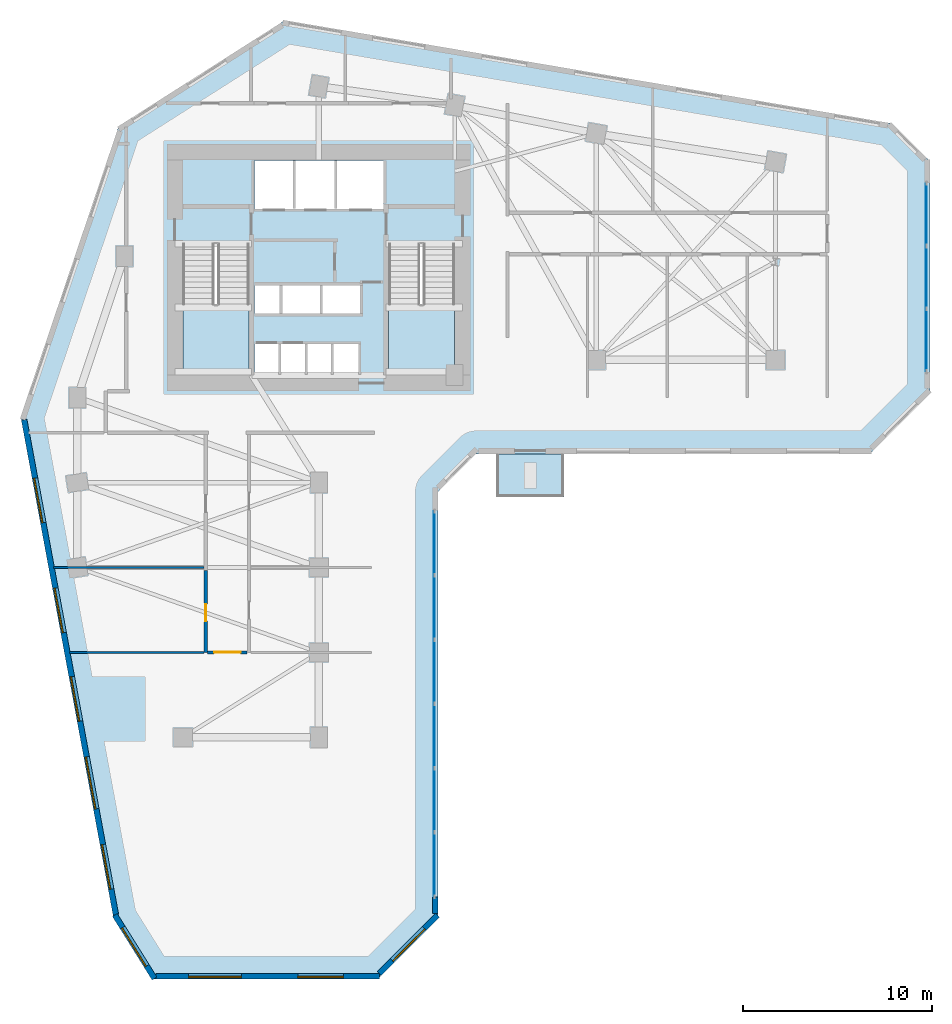
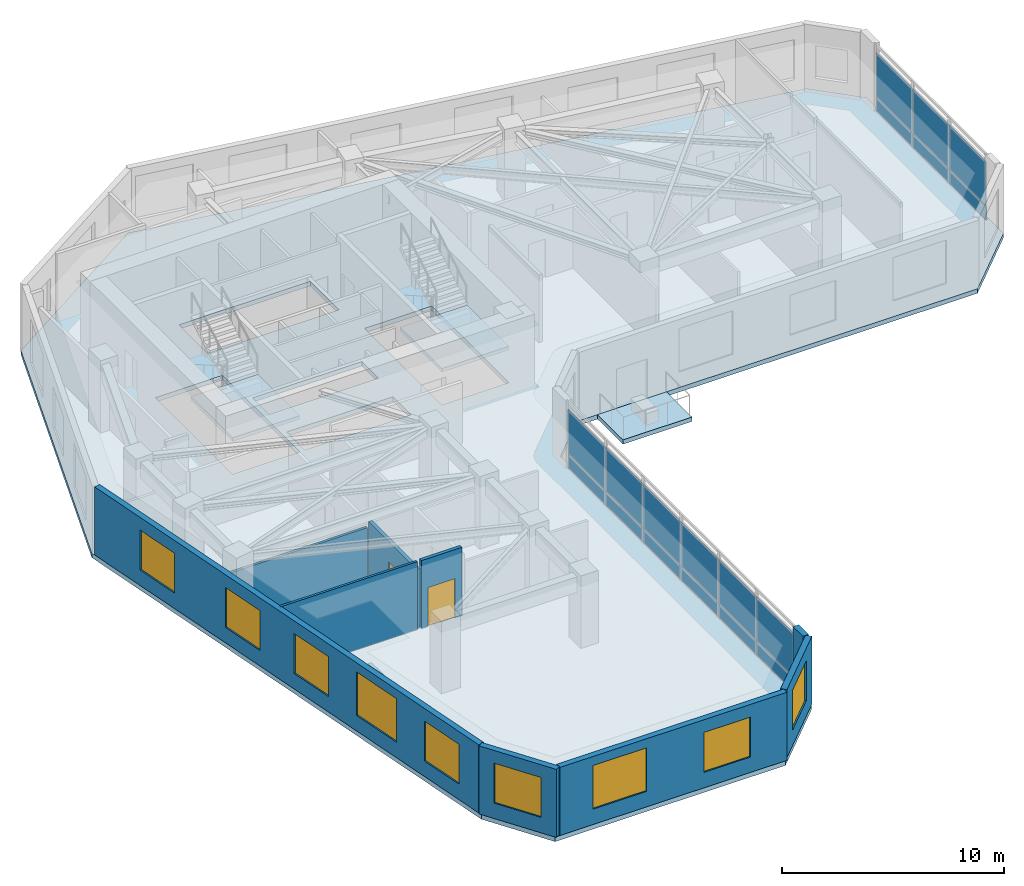
# One storey, part 4 of 9: 18 plates, 9 walls, 9 windows, 4 slabs, 2 doors, 11 openings, 4 elements without a shape of their own.
"""IFC4 building model written with IfcOpenShell, lengths in metres."""

from ifc_helpers import new_model, si_unit, direction, frame, frame_2d, origin, place, context, subcontext, project, spatial, polyline, rectangle, outline, extrude, source, transform, mapped, material, layer, layer_set, type_object, element, fill, aggregate, save


model = new_model("IFC4")

# Units and contexts
model_context = context("Model", 3, precision=1e-05, world=origin(), true_north=direction((0.0, 1.0)))
body_context = subcontext(model_context, "Body", "Model", "MODEL_VIEW")
ifc_project = project(units=[si_unit("LENGTHUNIT", "METRE"), si_unit("AREAUNIT", "SQUARE_METRE"), si_unit("VOLUMEUNIT", "CUBIC_METRE"), si_unit("PLANEANGLEUNIT", "RADIAN"), si_unit("MASSUNIT", "GRAM", prefix="KILO")], contexts=[model_context])

# Site, building, storey
site_placement = place(None, origin())
site = spatial("IfcSite", under=ifc_project, at=site_placement, CompositionType="ELEMENT")
building_placement = place(site_placement, origin())
building = spatial("IfcBuilding", under=site, at=building_placement, Name="Calvemar Wedge Station Tower", CompositionType="ELEMENT")
storey_placement = place(building_placement, frame((0.0, 0.0, 91.0)))
storey = spatial("IfcBuildingStorey", under=building, at=storey_placement, Name="L22", CompositionType="ELEMENT", Elevation=91.0)

# Curtain wall, plates
ifc_material_1 = material(Name="Anodised aluminium 6063-T6", Category="aluminium")
curtain_wall_type = type_object("IfcCurtainWallType", Name="CW1", PredefinedType="NOTDEFINED", material=ifc_material_1)
curtain_wall_1_placement = place(storey_placement, origin())
curtain_wall_1 = element("IfcCurtainWall", 1, at=curtain_wall_1_placement, inside=storey, type_object=curtain_wall_type, Name="Storey L22 CW1 Recessed Unitised Curtain Wall 4", PredefinedType="NOTDEFINED")
ifc_material_2 = material(Name="Low-E laminated insulated glass", Category="glass")
ifc_layer_1 = layer(ifc_material_2, 0.028076171875)
ifc_layer_set_1 = layer_set([ifc_layer_1], Name="Low-E laminated insulated glass")
plate_type_1 = type_object("IfcPlateType", Name="CW1-GLZ", PredefinedType="CURTAIN_PANEL", material=ifc_layer_set_1)
plate_1_placement = place(storey_placement, frame((29.91796875, 6.580078125, 0.8701171875), z_axis=(0.0, 0.0, 1.0), x_axis=(0.0, 1.0, 0.0)))
plate_1 = element("IfcPlate", 2, at=plate_1_placement, type_object=plate_type_1, Name="CW1 vision glass panel 1", PredefinedType="CURTAIN_PANEL", context=body_context, shape_type="SweptSolid", body=[
    extrude(rectangle(XDim=3.36865234375, YDim=0.028076171875, at=frame_2d((1.684326171875, 0.0))), origin(), (0.0, 0.0, 1.0), 2.409912109375),
])
plate_2_placement = place(storey_placement, frame((29.91796875, 9.98486328125, 0.8701171875), z_axis=(0.0, 0.0, 1.0), x_axis=(0.0, 1.0, 0.0)))
plate_2 = element("IfcPlate", 3, at=plate_2_placement, type_object=plate_type_1, Name="CW1 vision glass panel 2", PredefinedType="CURTAIN_PANEL", context=body_context, shape_type="SweptSolid", body=[
    extrude(rectangle(XDim=3.36865234375, YDim=0.028076171875, at=frame_2d((1.684326171875, 0.0))), origin(), (0.0, 0.0, 1.0), 2.409912109375),
])
plate_3_placement = place(storey_placement, frame((29.91796875, 13.389404296875, 0.8701171875), z_axis=(0.0, 0.0, 1.0), x_axis=(0.0, 1.0, 0.0)))
plate_3 = element("IfcPlate", 4, at=plate_3_placement, type_object=plate_type_1, Name="CW1 vision glass panel 3", PredefinedType="CURTAIN_PANEL", context=body_context, shape_type="SweptSolid", body=[
    extrude(rectangle(XDim=3.36865234375, YDim=0.028076171875, at=frame_2d((1.684326171875, 0.0))), origin(), (0.0, 0.0, 1.0), 2.409912109375),
])
plate_4_placement = place(storey_placement, frame((29.91796875, 16.794189453125, 0.8701171875), z_axis=(0.0, 0.0, 1.0), x_axis=(0.0, 1.0, 0.0)))
plate_4 = element("IfcPlate", 5, at=plate_4_placement, type_object=plate_type_1, Name="CW1 vision glass panel 4", PredefinedType="CURTAIN_PANEL", context=body_context, shape_type="SweptSolid", body=[
    extrude(rectangle(XDim=3.36865234375, YDim=0.028076171875, at=frame_2d((1.684326171875, 0.0))), origin(), (0.0, 0.0, 1.0), 2.409912109375),
])
plate_5_placement = place(storey_placement, frame((29.91796875, 20.19873046875, 0.8701171875), z_axis=(0.0, 0.0, 1.0), x_axis=(0.0, 1.0, 0.0)))
plate_5 = element("IfcPlate", 6, at=plate_5_placement, type_object=plate_type_1, Name="CW1 vision glass panel 5", PredefinedType="CURTAIN_PANEL", context=body_context, shape_type="SweptSolid", body=[
    extrude(rectangle(XDim=3.36865234375, YDim=0.028076171875, at=frame_2d((1.684326171875, 0.0))), origin(), (0.0, 0.0, 1.0), 2.409912109375),
])
plate_6_placement = place(storey_placement, frame((29.91796875, 23.603515625, 0.8701171875), z_axis=(0.0, 0.0, 1.0), x_axis=(0.0, 1.0, 0.0)))
plate_6 = element("IfcPlate", 7, at=plate_6_placement, type_object=plate_type_1, Name="CW1 vision glass panel 6", PredefinedType="CURTAIN_PANEL", context=body_context, shape_type="SweptSolid", body=[
    extrude(rectangle(XDim=3.36865234375, YDim=0.028076171875, at=frame_2d((1.684326171875, 0.0))), origin(), (0.0, 0.0, 1.0), 2.409912109375),
])

curtain_wall_2_placement = place(storey_placement, origin())
curtain_wall_2 = element("IfcCurtainWall", 8, at=curtain_wall_2_placement, inside=storey, type_object=curtain_wall_type, Name="Storey L22 CW1 Recessed Unitised Curtain Wall 8", PredefinedType="NOTDEFINED")
plate_7_placement = place(storey_placement, frame((55.989990234375, 34.408203125, 0.8701171875), z_axis=(0.0, 0.0, 1.0), x_axis=(0.0, 1.0, 0.0)))
plate_7 = element("IfcPlate", 9, at=plate_7_placement, type_object=plate_type_1, Name="CW1 vision glass panel 1", PredefinedType="CURTAIN_PANEL", context=body_context, shape_type="SweptSolid", body=[
    extrude(rectangle(XDim=3.289306640625, YDim=0.028076171875, at=frame_2d((1.64453125, 0.0))), origin(), (0.0, 0.0, 1.0), 2.409912109375),
])
plate_8_placement = place(storey_placement, frame((55.989990234375, 37.7333984375, 0.8701171875), z_axis=(0.0, 0.0, 1.0), x_axis=(0.0, 1.0, 0.0)))
plate_8 = element("IfcPlate", 10, at=plate_8_placement, type_object=plate_type_1, Name="CW1 vision glass panel 2", PredefinedType="CURTAIN_PANEL", context=body_context, shape_type="SweptSolid", body=[
    extrude(rectangle(XDim=3.289306640625, YDim=0.028076171875, at=frame_2d((1.64453125, 0.0))), origin(), (0.0, 0.0, 1.0), 2.409912109375),
])
plate_9_placement = place(storey_placement, frame((55.989990234375, 41.05859375, 0.8701171875), z_axis=(0.0, 0.0, 1.0), x_axis=(0.0, 1.0, 0.0)))
plate_9 = element("IfcPlate", 11, at=plate_9_placement, type_object=plate_type_1, Name="CW1 vision glass panel 3", PredefinedType="CURTAIN_PANEL", context=body_context, shape_type="SweptSolid", body=[
    extrude(rectangle(XDim=3.289306640625, YDim=0.028076171875, at=frame_2d((1.64453125, 0.0))), origin(), (0.0, 0.0, 1.0), 2.409912109375),
])

# Plate
ifc_material_3 = material(Name="Oxidized bronze aluminium spandrel panel 5005-H24", Category="aluminium")
ifc_layer_2 = layer(ifc_material_3, 0.0400390625)
ifc_layer_set_2 = layer_set([ifc_layer_2], Name="Oxidized bronze aluminium spandrel panel 5005-H24")
plate_type_2 = type_object("IfcPlateType", Name="CW1-SPD", PredefinedType="SHEET", material=ifc_layer_set_2)
plate_10_placement = place(storey_placement, frame((29.91796875, 6.580078125, 0.080078125), z_axis=(0.0, 0.0, 1.0), x_axis=(0.0, 1.0, 0.0)))
plate_10 = element("IfcPlate", 12, at=plate_10_placement, type_object=plate_type_2, Name="CW1 bronze spandrel panel 1", PredefinedType="SHEET", context=body_context, shape_type="SweptSolid", body=[
    extrude(rectangle(XDim=3.36865234375, YDim=0.0400390625, at=frame_2d((1.684326171875, 0.0))), origin(), (0.0, 0.0, 1.0), 0.75),
])

plate_11_placement = place(storey_placement, frame((29.91796875, 9.98486328125, 0.080078125), z_axis=(0.0, 0.0, 1.0), x_axis=(0.0, 1.0, 0.0)))
plate_11 = element("IfcPlate", 13, at=plate_11_placement, type_object=plate_type_2, Name="CW1 bronze spandrel panel 2", PredefinedType="SHEET", context=body_context, shape_type="SweptSolid", body=[
    extrude(rectangle(XDim=3.36865234375, YDim=0.0400390625, at=frame_2d((1.684326171875, 0.0))), origin(), (0.0, 0.0, 1.0), 0.75),
])

plate_12_placement = place(storey_placement, frame((29.91796875, 13.389404296875, 0.080078125), z_axis=(0.0, 0.0, 1.0), x_axis=(0.0, 1.0, 0.0)))
plate_12 = element("IfcPlate", 14, at=plate_12_placement, type_object=plate_type_2, Name="CW1 bronze spandrel panel 3", PredefinedType="SHEET", context=body_context, shape_type="SweptSolid", body=[
    extrude(rectangle(XDim=3.36865234375, YDim=0.0400390625, at=frame_2d((1.684326171875, 0.0))), origin(), (0.0, 0.0, 1.0), 0.75),
])

plate_13_placement = place(storey_placement, frame((29.91796875, 16.794189453125, 0.080078125), z_axis=(0.0, 0.0, 1.0), x_axis=(0.0, 1.0, 0.0)))
plate_13 = element("IfcPlate", 15, at=plate_13_placement, type_object=plate_type_2, Name="CW1 bronze spandrel panel 4", PredefinedType="SHEET", context=body_context, shape_type="SweptSolid", body=[
    extrude(rectangle(XDim=3.36865234375, YDim=0.0400390625, at=frame_2d((1.684326171875, 0.0))), origin(), (0.0, 0.0, 1.0), 0.75),
])

plate_14_placement = place(storey_placement, frame((29.91796875, 20.19873046875, 0.080078125), z_axis=(0.0, 0.0, 1.0), x_axis=(0.0, 1.0, 0.0)))
plate_14 = element("IfcPlate", 16, at=plate_14_placement, type_object=plate_type_2, Name="CW1 bronze spandrel panel 5", PredefinedType="SHEET", context=body_context, shape_type="SweptSolid", body=[
    extrude(rectangle(XDim=3.36865234375, YDim=0.0400390625, at=frame_2d((1.684326171875, 0.0))), origin(), (0.0, 0.0, 1.0), 0.75),
])

plate_15_placement = place(storey_placement, frame((29.91796875, 23.603515625, 0.080078125), z_axis=(0.0, 0.0, 1.0), x_axis=(0.0, 1.0, 0.0)))
plate_15 = element("IfcPlate", 17, at=plate_15_placement, type_object=plate_type_2, Name="CW1 bronze spandrel panel 6", PredefinedType="SHEET", context=body_context, shape_type="SweptSolid", body=[
    extrude(rectangle(XDim=3.36865234375, YDim=0.0400390625, at=frame_2d((1.684326171875, 0.0))), origin(), (0.0, 0.0, 1.0), 0.75),
])

aggregate(curtain_wall_1, [plate_10, plate_1, plate_11, plate_2, plate_12, plate_3, plate_13, plate_4, plate_14, plate_5, plate_15, plate_6])

plate_16_placement = place(storey_placement, frame((55.989990234375, 34.408203125, 0.080078125), z_axis=(0.0, 0.0, 1.0), x_axis=(0.0, 1.0, 0.0)))
plate_16 = element("IfcPlate", 18, at=plate_16_placement, type_object=plate_type_2, Name="CW1 bronze spandrel panel 1", PredefinedType="SHEET", context=body_context, shape_type="SweptSolid", body=[
    extrude(rectangle(XDim=3.289306640625, YDim=0.0400390625, at=frame_2d((1.64453125, 0.0))), origin(), (0.0, 0.0, 1.0), 0.75),
])

plate_17_placement = place(storey_placement, frame((55.989990234375, 37.7333984375, 0.080078125), z_axis=(0.0, 0.0, 1.0), x_axis=(0.0, 1.0, 0.0)))
plate_17 = element("IfcPlate", 19, at=plate_17_placement, type_object=plate_type_2, Name="CW1 bronze spandrel panel 2", PredefinedType="SHEET", context=body_context, shape_type="SweptSolid", body=[
    extrude(rectangle(XDim=3.289306640625, YDim=0.0400390625, at=frame_2d((1.64453125, 0.0))), origin(), (0.0, 0.0, 1.0), 0.75),
])

plate_18_placement = place(storey_placement, frame((55.989990234375, 41.05859375, 0.080078125), z_axis=(0.0, 0.0, 1.0), x_axis=(0.0, 1.0, 0.0)))
plate_18 = element("IfcPlate", 20, at=plate_18_placement, type_object=plate_type_2, Name="CW1 bronze spandrel panel 3", PredefinedType="SHEET", context=body_context, shape_type="SweptSolid", body=[
    extrude(rectangle(XDim=3.289306640625, YDim=0.0400390625, at=frame_2d((1.64453125, 0.0))), origin(), (0.0, 0.0, 1.0), 0.75),
])

aggregate(curtain_wall_2, [plate_16, plate_7, plate_17, plate_8, plate_18, plate_9])

# Stair, slab
ifc_material_4 = material(Name="Concrete C45", Category="concrete")
stair_type = type_object("IfcStairType", Name="ST-TYPE-4000", PredefinedType="HALF_TURN_STAIR", material=ifc_material_4)
stair_1_placement = place(storey_placement, origin())
stair_1 = element("IfcStair", 21, at=stair_1_placement, inside=storey, type_object=stair_type, Name="L22 Pressurized Core Exit Stair ST-C1", PredefinedType="HALF_TURN_STAIR")
ifc_layer_3 = layer(ifc_material_4, 0.199951171875)
ifc_layer_set_3 = layer_set([ifc_layer_3], Name="Concrete C45")
slab_type_1 = type_object("IfcSlabType", Name="SL-STAIR-LND-200", PredefinedType="LANDING", material=ifc_layer_set_3)
slab_1_placement = place(storey_placement, frame((0.0, 0.0, 1.800048828125)))
slab_1 = element("IfcSlab", 22, at=slab_1_placement, type_object=slab_type_1, Name="ST-C1 landing 1", PredefinedType="LANDING", context=body_context, shape_type="SweptSolid", body=[
    extrude(outline(polyline([(16.60009765625, 37.9599609375), (16.60009765625, 34.199951171875), (20.10009765625, 34.199951171875), (20.10009765625, 37.9599609375), (16.60009765625, 37.9599609375)])), origin(), (0.0, 0.0, 1.0), 0.199951171875),
])
aggregate(stair_1, [slab_1])

stair_2_placement = place(storey_placement, origin())
stair_2 = element("IfcStair", 23, at=stair_2_placement, inside=storey, type_object=stair_type, Name="L22 Pressurized Core Exit Stair ST-C2", PredefinedType="HALF_TURN_STAIR")
slab_2_placement = place(storey_placement, frame((0.0, 0.0, 1.800048828125)))
slab_2 = element("IfcSlab", 24, at=slab_2_placement, type_object=slab_type_1, Name="ST-C2 landing 1", PredefinedType="LANDING", context=body_context, shape_type="SweptSolid", body=[
    extrude(outline(polyline([(27.5, 37.9599609375), (27.5, 34.199951171875), (31.0, 34.199951171875), (31.0, 37.9599609375), (27.5, 37.9599609375)])), origin(), (0.0, 0.0, 1.0), 0.199951171875),
])
aggregate(stair_2, [slab_2])

# Slabs
ifc_layer_4 = layer(ifc_material_4, 0.239990234375)
ifc_layer_set_4 = layer_set([ifc_layer_4], Name="Concrete C45")
slab_type_2 = type_object("IfcSlabType", Name="SL-TERR-240", PredefinedType="FLOOR", material=ifc_layer_set_4)
slab_3_placement = place(storey_placement, frame((0.0, 0.0, -0.239990234375)))
element("IfcSlab", 25, at=slab_3_placement, inside=storey, type_object=slab_type_2, Name="Storey L22 Planted Spiral Terrace Slab", PredefinedType="FLOOR", context=body_context, shape_type="SweptSolid", body=[
    extrude(outline(polyline([(33.199951171875, 30.028076171875), (33.199951171875, 27.72802734375), (36.800048828125, 27.72802734375), (36.800048828125, 30.028076171875), (33.199951171875, 30.028076171875)])), origin(), (0.0, 0.0, 1.0), 0.239990234375),
])
ifc_material_5 = material(Name="Concrete C50", Category="concrete")
ifc_layer_5 = layer(ifc_material_5, 0.25)
ifc_layer_set_5 = layer_set([ifc_layer_5], Name="Concrete C50")
slab_type_3 = type_object("IfcSlabType", Name="SL-TYP-250", PredefinedType="FLOOR", material=ifc_layer_set_5)
slab_4_placement = place(storey_placement, frame((0.0, 0.0, -0.25)))
element("IfcSlab", 26, at=slab_4_placement, inside=storey, type_object=slab_type_3, Name="Storey L22 Structural Floor Slab", PredefinedType="FLOOR", context=body_context, shape_type="SweptSolid", body=[
    extrude(outline(polyline([(8.0, 32.0), (12.927978515625, 5.39990234375), (14.927978515625, 2.199951171875), (26.927978515625, 2.199951171875), (30.1279296875, 5.39990234375), (30.1279296875, 28.028076171875), (32.1279296875, 30.028076171875), (53.0, 30.028076171875), (56.199951171875, 33.22802734375), (56.199951171875, 45.528076171875), (54.199951171875, 47.528076171875), (22.0, 53.0), (13.199951171875, 47.39990234375), (8.0, 32.0)]), holes=[polyline([(21.739990234375, 35.85009765625), (21.72998046875, 35.85009765625), (20.3798828125, 35.85009765625), (20.3798828125, 34.219970703125), (21.72998046875, 34.219970703125), (21.739990234375, 34.219970703125), (23.1201171875, 34.219970703125), (23.1298828125, 34.219970703125), (24.510009765625, 34.219970703125), (24.52001953125, 34.219970703125), (25.909912109375, 34.219970703125), (25.909912109375, 35.85009765625), (24.52001953125, 35.85009765625), (24.510009765625, 35.85009765625), (23.1298828125, 35.85009765625), (23.1201171875, 35.85009765625), (21.739990234375, 35.85009765625)]), polyline([(16.60009765625, 41.14990234375), (16.60009765625, 34.199951171875), (20.10009765625, 34.199951171875), (20.10009765625, 41.14990234375), (16.60009765625, 41.14990234375)]), polyline([(27.5, 34.199951171875), (31.0, 34.199951171875), (31.0, 41.14990234375), (27.5, 41.14990234375), (27.5, 34.199951171875)]), polyline([(21.7900390625, 37.449951171875), (21.800048828125, 37.449951171875), (23.929931640625, 37.449951171875), (23.93994140625, 37.449951171875), (26.080078125, 37.449951171875), (26.080078125, 38.949951171875), (23.93994140625, 38.949951171875), (23.929931640625, 38.949951171875), (21.800048828125, 38.949951171875), (21.7900390625, 38.949951171875), (20.3798828125, 38.949951171875), (20.3798828125, 37.449951171875), (21.7900390625, 37.449951171875)]), polyline([(20.3798828125, 43.0), (27.219970703125, 43.0), (27.219970703125, 45.580078125), (20.3798828125, 45.580078125), (20.3798828125, 43.0)])]), origin(), (0.0, 0.0, 1.0), 0.25),
])

# Wall, opening, door
ifc_material_6 = material(Name="Double-stud fire-rated corridor partition")
ifc_layer_6 = layer(ifc_material_6, 0.179931640625)
ifc_layer_set_6 = layer_set([ifc_layer_6], Name="Double-stud fire-rated corridor partition")
wall_type_1 = type_object("IfcWallType", Name="W-CORR-180", PredefinedType="PARTITIONING", material=ifc_layer_set_6)
wall_1_placement = place(storey_placement, frame((17.800048828125, 19.5, 0.0), z_axis=(0.0, 0.0, 1.0), x_axis=(0.0, 1.0, 0.0)))
wall_1 = element("IfcWall", 27, at=wall_1_placement, inside=storey, type_object=wall_type_1, Name="Storey L22 Interior Partition WL-L22-033", PredefinedType="PARTITIONING", context=body_context, shape_type="SweptSolid", body=[
    extrude(rectangle(XDim=4.337890625, YDim=0.179931640625, at=frame_2d((2.1689453125, 0.0))), origin(), (0.0, 0.0, 1.0), 3.279052734375),
])
shared_shape_1 = source(origin(), body_context, "Body", "SweptSolid", [
    extrude(rectangle(XDim=0.89990234375, YDim=2.14990234375, at=frame_2d((0.449951171875, 1.074951171875))), frame((0.0, 0.10009765625, 0.0), z_axis=(0.0, -1.0, 0.0), x_axis=(1.0, 0.0, 0.0)), (0.0, 0.0, 1.0), 0.199951171875),
])
opening_1_placement = place(wall_1_placement, frame((1.656494140625, 0.0, 0.0)))
opening_1 = element("IfcOpeningElement", 28, at=opening_1_placement, cuts=wall_1, Name="Opening D-01", PredefinedType="OPENING", context=body_context, shape_type="MappedRepresentation", body=[
    mapped(shared_shape_1, transform((0.0, 0.0, 0.0), scale=1.0)),
])
ifc_material_7 = material(Name="Architectural hardwood acoustic swing door", Category="wood")
door_type_1 = type_object("IfcDoorType", Name="DR-INT-900", OperationType="NOTDEFINED", PredefinedType="DOOR", material=ifc_material_7)
shared_shape_2 = source(origin(), body_context, "Body", "SweptSolid", [
    extrude(rectangle(XDim=0.89990234375, YDim=2.14990234375, at=frame_2d((0.449951171875, 1.074951171875))), frame((0.0, 0.02490234375, 0.0), z_axis=(0.0, -1.0, 0.0), x_axis=(1.0, 0.0, 0.0)), (0.0, 0.0, 1.0), 0.050048828125),
])
door_1_placement = place(opening_1_placement, origin())
door_1 = element("IfcDoor", 29, at=door_1_placement, inside=storey, type_object=door_type_1, Name="L22 Office Door", OperationType="SINGLE_SWING_LEFT", OverallHeight=2.14990234375, OverallWidth=0.89990234375, PredefinedType="DOOR", context=body_context, shape_type="MappedRepresentation", body=[
    mapped(shared_shape_2, transform((0.0, 0.0, 0.0), scale=1.0)),
])
fill(opening_1, door_1)

wall_2_placement = place(storey_placement, frame((20.006103515625, 19.5, 0.0), z_axis=(0.0, 0.0, 1.0), x_axis=(-1.0, 0.0, 0.0)))
wall_2 = element("IfcWall", 30, at=wall_2_placement, inside=storey, type_object=wall_type_1, Name="Storey L22 Interior Partition WL-L22-036", PredefinedType="PARTITIONING", context=body_context, shape_type="SweptSolid", body=[
    extrude(rectangle(XDim=2.112060546875, YDim=0.179931640625, at=frame_2d((1.05615234375, 0.0))), origin(), (0.0, 0.0, 1.0), 3.75),
])
shared_shape_3 = source(origin(), body_context, "Body", "SweptSolid", [
    extrude(rectangle(XDim=1.39990234375, YDim=2.14990234375, at=frame_2d((0.699951171875, 1.074951171875))), frame((0.0, 0.10009765625, 0.0), z_axis=(0.0, -1.0, 0.0), x_axis=(1.0, 0.0, 0.0)), (0.0, 0.0, 1.0), 0.199951171875),
])
opening_2_placement = place(wall_2_placement, frame((0.35595703125, 0.0, 0.0)))
opening_2 = element("IfcOpeningElement", 31, at=opening_2_placement, cuts=wall_2, Name="Opening DD-140", PredefinedType="OPENING", context=body_context, shape_type="MappedRepresentation", body=[
    mapped(shared_shape_3, transform((0.0, 0.0, 0.0), scale=1.0)),
])
ifc_material_8 = material(Name="Double-leaf corridor acoustic fire door EI 60")
door_type_2 = type_object("IfcDoorType", Name="DR-DBL-1400", OperationType="DOUBLE_DOOR_SINGLE_SWING", PredefinedType="DOOR", material=ifc_material_8)
shared_shape_4 = source(origin(), body_context, "Body", "SweptSolid", [
    extrude(rectangle(XDim=1.39990234375, YDim=2.14990234375, at=frame_2d((0.699951171875, 1.074951171875))), frame((0.0, 0.02490234375, 0.0), z_axis=(0.0, -1.0, 0.0), x_axis=(1.0, 0.0, 0.0)), (0.0, 0.0, 1.0), 0.050048828125),
])
door_2_placement = place(opening_2_placement, origin())
door_2 = element("IfcDoor", 32, at=door_2_placement, inside=storey, type_object=door_type_2, Name="L22 Co-Working Studio Door", OperationType="SINGLE_SWING_RIGHT", OverallHeight=2.14990234375, OverallWidth=1.39990234375, PredefinedType="DOOR", context=body_context, shape_type="MappedRepresentation", body=[
    mapped(shared_shape_4, transform((0.0, 0.0, 0.0), scale=1.0)),
])
fill(opening_2, door_2)

# Wall, opening, window
ifc_material_9 = material(Name="Precast concrete C45", Category="concrete")
ifc_layer_7 = layer(ifc_material_9, 0.300048828125)
ifc_layer_set_7 = layer_set([ifc_layer_7], Name="Precast concrete C45")
wall_type_2 = type_object("IfcWallType", Name="W-EXT-GFRC-300", PredefinedType="SOLIDWALL", material=ifc_layer_set_7)
wall_3_placement = place(storey_placement, frame((12.99072265625, 5.58251953125, 0.0), z_axis=(0.0, 0.0, 1.0), x_axis=(0.530015557218, -0.847987918019, 0.0)))
wall_3 = element("IfcWall", 33, at=wall_3_placement, inside=storey, type_object=wall_type_2, Name="Storey L22 Bronze GFRC Exterior Wall 1", PredefinedType="SOLIDWALL", context=body_context, shape_type="SweptSolid", body=[
    extrude(rectangle(XDim=3.9619140625, YDim=0.300048828125, at=frame_2d((1.98095703125, 0.0))), origin(), (0.0, 0.0, 1.0), 3.75),
])
shared_shape_5 = source(origin(), body_context, "Body", "SweptSolid", [
    extrude(rectangle(XDim=2.39990234375, YDim=2.199951171875, at=frame_2d((1.199951171875, 1.10009765625))), frame((0.0, 0.16015625, 0.0), z_axis=(0.0, -1.0, 0.0), x_axis=(1.0, 0.0, 0.0)), (0.0, 0.0, 1.0), 0.320068359375),
])
opening_3_placement = place(wall_3_placement, frame((0.781005859375, 0.0, 0.85009765625)))
opening_3 = element("IfcOpeningElement", 34, at=opening_3_placement, cuts=wall_3, Name="Opening W1", PredefinedType="OPENING", context=body_context, shape_type="MappedRepresentation", body=[
    mapped(shared_shape_5, transform((0.0, 0.0, 0.0), scale=1.0)),
])
window_type_1 = type_object("IfcWindowType", Name="WIN-EXT-1", PartitioningType="SINGLE_PANEL", PredefinedType="WINDOW", material=ifc_material_2)
shared_shape_6 = source(origin(), body_context, "Body", "SweptSolid", [
    extrude(rectangle(XDim=2.39990234375, YDim=2.199951171875, at=frame_2d((1.199951171875, 1.10009765625))), frame((0.0, -0.014892578125, 0.0), z_axis=(0.0, -1.0, 0.0), x_axis=(1.0, 0.0, 0.0)), (0.0, 0.0, 1.0), 0.06005859375),
])
window_1_placement = place(opening_3_placement, origin())
window_1 = element("IfcWindow", 35, at=window_1_placement, inside=storey, type_object=window_type_1, Name="Storey L22 Recessed Window 1.1", OverallHeight=2.199951171875, OverallWidth=2.39990234375, PartitioningType="SINGLE_PANEL", PredefinedType="WINDOW", context=body_context, shape_type="MappedRepresentation", body=[
    mapped(shared_shape_6, transform((0.0, 0.0, 0.0), scale=1.0)),
])
fill(opening_3, window_1)

# Wall, openings, windows
wall_4_placement = place(storey_placement, frame((15.173828125, 2.35009765625, 0.0), z_axis=(0.0, 0.0, 1.0), x_axis=(1.0, 0.0, 0.0)))
wall_4 = element("IfcWall", 36, at=wall_4_placement, inside=storey, type_object=wall_type_2, Name="Storey L22 Bronze GFRC Exterior Wall 2", PredefinedType="SOLIDWALL", context=body_context, shape_type="SweptSolid", body=[
    extrude(rectangle(XDim=11.842041015625, YDim=0.300048828125, at=frame_2d((5.9208984375, 0.0))), origin(), (0.0, 0.0, 1.0), 3.75),
])
shared_shape_7 = source(origin(), body_context, "Body", "SweptSolid", [
    extrude(rectangle(XDim=2.800048828125, YDim=2.39990234375, at=frame_2d((1.39990234375, 1.199951171875))), frame((0.0, 0.16015625, 0.0), z_axis=(0.0, -1.0, 0.0), x_axis=(1.0, 0.0, 0.0)), (0.0, 0.0, 1.0), 0.320068359375),
])
opening_4_placement = place(wall_4_placement, frame((1.720947265625, 0.0, 0.85009765625)))
opening_4 = element("IfcOpeningElement", 37, at=opening_4_placement, cuts=wall_4, Name="Opening W6", PredefinedType="OPENING", context=body_context, shape_type="MappedRepresentation", body=[
    mapped(shared_shape_7, transform((0.0, 0.0, 0.0), scale=1.0)),
])
opening_5_placement = place(wall_4_placement, frame((7.52197265625, 0.0, 0.85009765625)))
opening_5 = element("IfcOpeningElement", 38, at=opening_5_placement, cuts=wall_4, Name="Opening W1", PredefinedType="OPENING", context=body_context, shape_type="MappedRepresentation", body=[
    mapped(shared_shape_5, transform((0.0, 0.0, 0.0), scale=1.0)),
])
window_type_2 = type_object("IfcWindowType", Name="WIN-EXT-6", PartitioningType="SINGLE_PANEL", PredefinedType="WINDOW", material=ifc_material_2)
shared_shape_8 = source(origin(), body_context, "Body", "SweptSolid", [
    extrude(rectangle(XDim=2.800048828125, YDim=2.39990234375, at=frame_2d((1.39990234375, 1.199951171875))), frame((0.0, -0.014892578125, 0.0), z_axis=(0.0, -1.0, 0.0), x_axis=(1.0, 0.0, 0.0)), (0.0, 0.0, 1.0), 0.06005859375),
])
window_2_placement = place(opening_4_placement, origin())
window_2 = element("IfcWindow", 39, at=window_2_placement, inside=storey, type_object=window_type_2, Name="Storey L22 Recessed Window 2.1", OverallHeight=2.39990234375, OverallWidth=2.800048828125, PartitioningType="SINGLE_PANEL", PredefinedType="WINDOW", context=body_context, shape_type="MappedRepresentation", body=[
    mapped(shared_shape_8, transform((0.0, 0.0, 0.0), scale=1.0)),
])
fill(opening_4, window_2)
window_3_placement = place(opening_5_placement, origin())
window_3 = element("IfcWindow", 40, at=window_3_placement, inside=storey, type_object=window_type_1, Name="Storey L22 Recessed Window 2.2", OverallHeight=2.199951171875, OverallWidth=2.39990234375, PartitioningType="SINGLE_PANEL", PredefinedType="WINDOW", context=body_context, shape_type="MappedRepresentation", body=[
    mapped(shared_shape_6, transform((0.0, 0.0, 0.0), scale=1.0)),
])
fill(opening_5, window_3)

# Wall, opening, window
wall_5_placement = place(storey_placement, frame((27.00390625, 2.488037109375, 0.0), z_axis=(0.0, 0.0, 1.0), x_axis=(0.707106781187, 0.707106781187, 0.0)))
wall_5 = element("IfcWall", 41, at=wall_5_placement, inside=storey, type_object=wall_type_2, Name="Storey L22 Bronze GFRC Exterior Wall 3", PredefinedType="SOLIDWALL", context=body_context, shape_type="SweptSolid", body=[
    extrude(rectangle(XDim=4.35595703125, YDim=0.300048828125, at=frame_2d((2.177978515625, 0.0))), origin(), (0.0, 0.0, 1.0), 3.75),
])
opening_6_placement = place(wall_5_placement, frame((0.97802734375, 0.0, 0.85009765625)))
opening_6 = element("IfcOpeningElement", 42, at=opening_6_placement, cuts=wall_5, Name="Opening W1", PredefinedType="OPENING", context=body_context, shape_type="MappedRepresentation", body=[
    mapped(shared_shape_5, transform((0.0, 0.0, 0.0), scale=1.0)),
])
window_4_placement = place(opening_6_placement, origin())
window_4 = element("IfcWindow", 43, at=window_4_placement, inside=storey, type_object=window_type_1, Name="Storey L22 Recessed Window 3.1", OverallHeight=2.199951171875, OverallWidth=2.39990234375, PartitioningType="SINGLE_PANEL", PredefinedType="WINDOW", context=body_context, shape_type="MappedRepresentation", body=[
    mapped(shared_shape_6, transform((0.0, 0.0, 0.0), scale=1.0)),
])
fill(opening_6, window_4)

# Wall
wall_6_placement = place(storey_placement, frame((29.97802734375, 5.6572265625, 0.0), z_axis=(0.0, 0.0, 1.0), x_axis=(0.0, 1.0, 0.0)))
element("IfcWall", 44, at=wall_6_placement, inside=storey, type_object=wall_type_2, Name="Storey L22 Bronze GFRC Corner Pier 4A", PredefinedType="SOLIDWALL", context=body_context, shape_type="SweptSolid", body=[
    extrude(rectangle(XDim=0.8798828125, YDim=0.300048828125, at=frame_2d((0.43994140625, 0.0))), origin(), (0.0, 0.0, 1.0), 3.75),
])

# Wall, openings, windows
wall_7_placement = place(storey_placement, frame((8.183349609375, 31.83349609375, 0.0), z_axis=(0.0, 0.0, 1.0), x_axis=(0.18216364648, -0.983268226834, 0.0)))
wall_7 = element("IfcWall", 45, at=wall_7_placement, inside=storey, type_object=wall_type_2, Name="Storey L22 Bronze GFRC Exterior Wall 13", PredefinedType="SOLIDWALL", context=body_context, shape_type="SweptSolid", body=[
    extrude(rectangle(XDim=26.678466796875, YDim=0.300048828125, at=frame_2d((13.33935546875, 0.0))), origin(), (0.0, 0.0, 1.0), 3.75),
])
opening_7_placement = place(wall_7_placement, frame((3.152099609375, 0.0, 0.85009765625)))
opening_7 = element("IfcOpeningElement", 46, at=opening_7_placement, cuts=wall_7, Name="Opening W1", PredefinedType="OPENING", context=body_context, shape_type="MappedRepresentation", body=[
    mapped(shared_shape_5, transform((0.0, 0.0, 0.0), scale=1.0)),
])
opening_8_placement = place(wall_7_placement, frame((9.075927734375, 0.0, 0.85009765625)))
opening_8 = element("IfcOpeningElement", 47, at=opening_8_placement, cuts=wall_7, Name="Opening W1", PredefinedType="OPENING", context=body_context, shape_type="MappedRepresentation", body=[
    mapped(shared_shape_5, transform((0.0, 0.0, 0.0), scale=1.0)),
])
opening_9_placement = place(wall_7_placement, frame((13.846923828125, 0.0, 0.85009765625)))
opening_9 = element("IfcOpeningElement", 48, at=opening_9_placement, cuts=wall_7, Name="Opening W1", PredefinedType="OPENING", context=body_context, shape_type="MappedRepresentation", body=[
    mapped(shared_shape_5, transform((0.0, 0.0, 0.0), scale=1.0)),
])
opening_10_placement = place(wall_7_placement, frame((18.172119140625, 0.0, 0.85009765625)))
opening_10 = element("IfcOpeningElement", 49, at=opening_10_placement, cuts=wall_7, Name="Opening W6", PredefinedType="OPENING", context=body_context, shape_type="MappedRepresentation", body=[
    mapped(shared_shape_7, transform((0.0, 0.0, 0.0), scale=1.0)),
])
opening_11_placement = place(wall_7_placement, frame((22.89599609375, 0.0, 0.85009765625)))
opening_11 = element("IfcOpeningElement", 50, at=opening_11_placement, cuts=wall_7, Name="Opening W1", PredefinedType="OPENING", context=body_context, shape_type="MappedRepresentation", body=[
    mapped(shared_shape_5, transform((0.0, 0.0, 0.0), scale=1.0)),
])
window_5_placement = place(opening_10_placement, origin())
window_5 = element("IfcWindow", 51, at=window_5_placement, inside=storey, type_object=window_type_2, Name="Storey L22 Recessed Window 13.4", OverallHeight=2.39990234375, OverallWidth=2.800048828125, PartitioningType="SINGLE_PANEL", PredefinedType="WINDOW", context=body_context, shape_type="MappedRepresentation", body=[
    mapped(shared_shape_8, transform((0.0, 0.0, 0.0), scale=1.0)),
])
fill(opening_10, window_5)
window_6_placement = place(opening_7_placement, origin())
window_6 = element("IfcWindow", 52, at=window_6_placement, inside=storey, type_object=window_type_1, Name="Storey L22 Recessed Window 13.1", OverallHeight=2.199951171875, OverallWidth=2.39990234375, PartitioningType="SINGLE_PANEL", PredefinedType="WINDOW", context=body_context, shape_type="MappedRepresentation", body=[
    mapped(shared_shape_6, transform((0.0, 0.0, 0.0), scale=1.0)),
])
fill(opening_7, window_6)
window_7_placement = place(opening_8_placement, origin())
window_7 = element("IfcWindow", 53, at=window_7_placement, inside=storey, type_object=window_type_1, Name="Storey L22 Recessed Window 13.2", OverallHeight=2.199951171875, OverallWidth=2.39990234375, PartitioningType="SINGLE_PANEL", PredefinedType="WINDOW", context=body_context, shape_type="MappedRepresentation", body=[
    mapped(shared_shape_6, transform((0.0, 0.0, 0.0), scale=1.0)),
])
fill(opening_8, window_7)
window_8_placement = place(opening_9_placement, origin())
window_8 = element("IfcWindow", 54, at=window_8_placement, inside=storey, type_object=window_type_1, Name="Storey L22 Recessed Window 13.3", OverallHeight=2.199951171875, OverallWidth=2.39990234375, PartitioningType="SINGLE_PANEL", PredefinedType="WINDOW", context=body_context, shape_type="MappedRepresentation", body=[
    mapped(shared_shape_6, transform((0.0, 0.0, 0.0), scale=1.0)),
])
fill(opening_9, window_8)
window_9_placement = place(opening_11_placement, origin())
window_9 = element("IfcWindow", 55, at=window_9_placement, inside=storey, type_object=window_type_1, Name="Storey L22 Recessed Window 13.5", OverallHeight=2.199951171875, OverallWidth=2.39990234375, PartitioningType="SINGLE_PANEL", PredefinedType="WINDOW", context=body_context, shape_type="MappedRepresentation", body=[
    mapped(shared_shape_6, transform((0.0, 0.0, 0.0), scale=1.0)),
])
fill(opening_11, window_9)

# Walls
ifc_material_10 = material(Name="Insulated acoustic gypsum stud partition")
ifc_layer_8 = layer(ifc_material_10, 0.125)
ifc_layer_set_8 = layer_set([ifc_layer_8], Name="Insulated acoustic gypsum stud partition")
wall_type_3 = type_object("IfcWallType", Name="W-PART-125", PredefinedType="PARTITIONING", material=ifc_layer_set_8)
wall_8_placement = place(storey_placement, frame((17.7060546875, 24.0, 0.0), z_axis=(0.0, 0.0, 1.0), x_axis=(-1.0, 0.0, 0.0)))
element("IfcWall", 56, at=wall_8_placement, inside=storey, type_object=wall_type_3, Name="Storey L22 Interior Partition WL-L22-037", PredefinedType="PARTITIONING", context=body_context, shape_type="SweptSolid", body=[
    extrude(rectangle(XDim=7.954345703125, YDim=0.125, at=frame_2d((3.97705078125, 0.0))), origin(), (0.0, 0.0, 1.0), 2.89208984375),
])
wall_9_placement = place(storey_placement, frame((17.7060546875, 19.5, 0.0), z_axis=(0.0, 0.0, 1.0), x_axis=(-1.0, 0.0, 0.0)))
element("IfcWall", 57, at=wall_9_placement, inside=storey, type_object=wall_type_3, Name="Storey L22 Interior Partition WL-L22-038", PredefinedType="PARTITIONING", context=body_context, shape_type="SweptSolid", body=[
    extrude(rectangle(XDim=7.120849609375, YDim=0.125, at=frame_2d((3.560546875, 0.0))), origin(), (0.0, 0.0, 1.0), 3.75),
])

save(model, "model.ifc")
